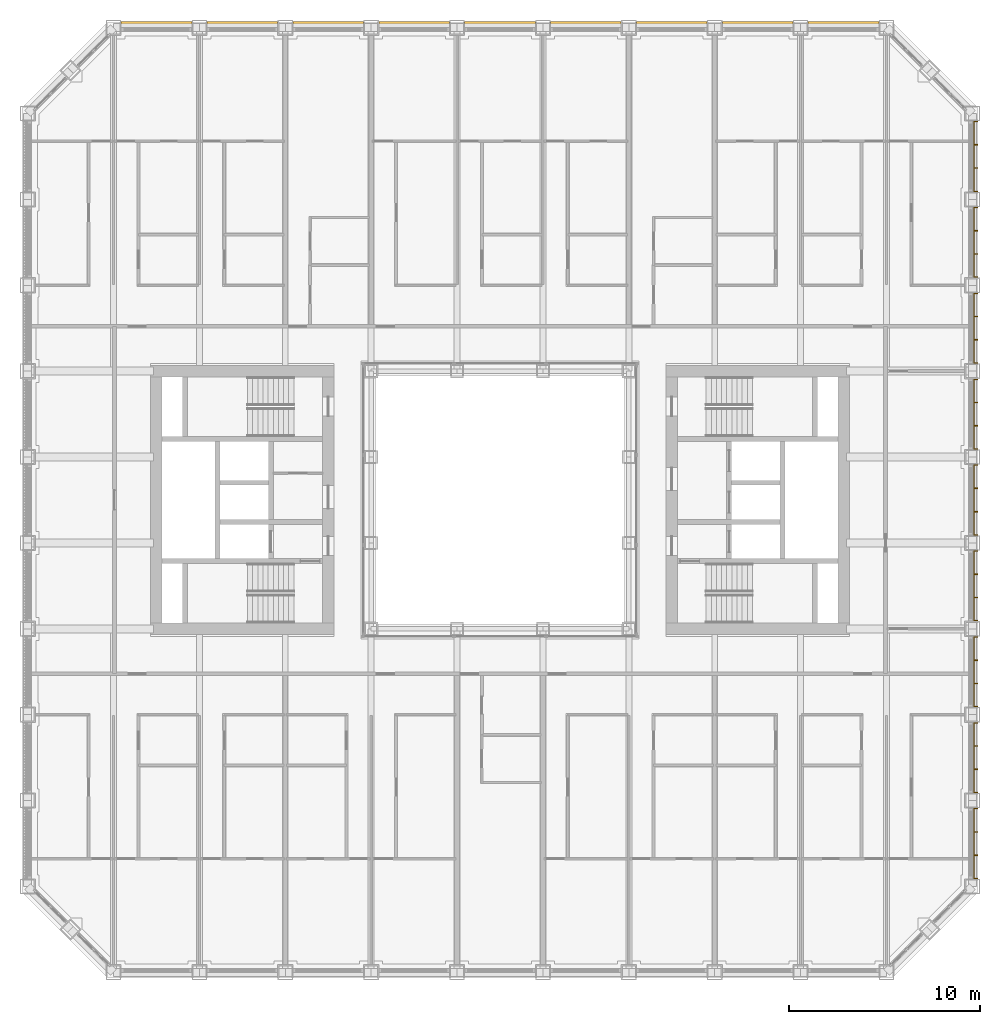
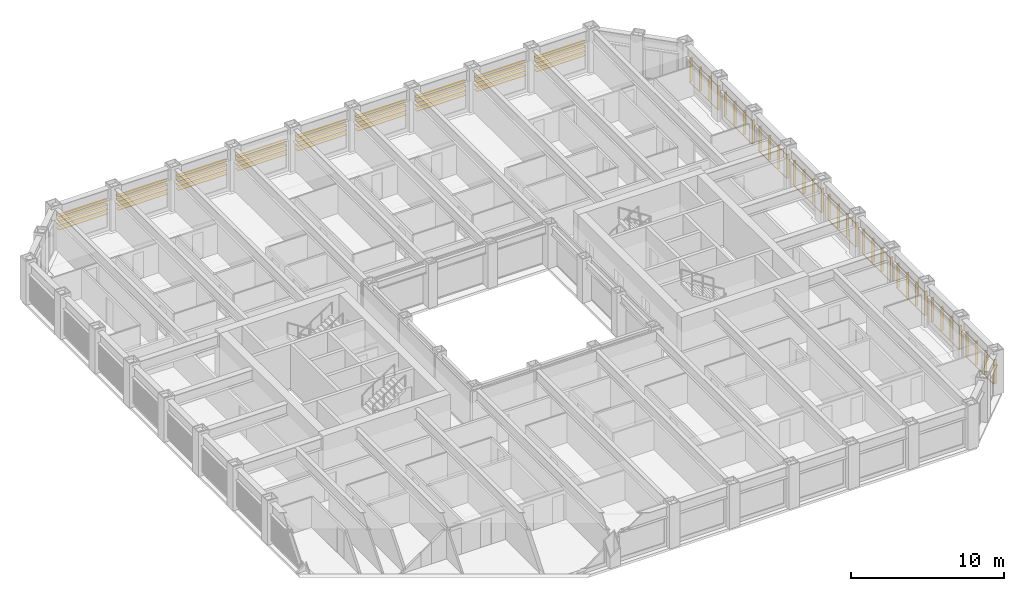
# One storey, part 20 of 20: 2 shading devices.
"""IFC4 building model written with IfcOpenShell, lengths in metres."""

from ifc_helpers import new_model, si_unit, direction, frame, origin, origin_2d, place, context, subcontext, project, spatial, rectangle, extrude, material, type_object, element, save


model = new_model("IFC4")

# Units and contexts
model_context = context("Model", 3, precision=1e-05, world=origin(), true_north=direction((0.0, 1.0)))
body_context = subcontext(model_context, "Body", "Model", "MODEL_VIEW")
ifc_project = project(units=[si_unit("LENGTHUNIT", "METRE"), si_unit("AREAUNIT", "SQUARE_METRE"), si_unit("VOLUMEUNIT", "CUBIC_METRE"), si_unit("PLANEANGLEUNIT", "RADIAN"), si_unit("MASSUNIT", "GRAM", prefix="KILO")], contexts=[model_context])

# Site, building, storey
site_placement = place(None, origin())
site = spatial("IfcSite", under=ifc_project, at=site_placement, CompositionType="ELEMENT")
building_placement = place(site_placement, origin())
building = spatial("IfcBuilding", under=site, at=building_placement, Name="Msasa Ring Tower", CompositionType="ELEMENT")
storey_placement = place(building_placement, frame((0.0, 0.0, 61.5)))
storey = spatial("IfcBuildingStorey", under=building, at=storey_placement, Name="L15", CompositionType="ELEMENT", Elevation=61.5)

# Shading devices
ifc_material_1 = material(Name="Extruded terracotta on aluminium carriers", Category="masonry")
shading_device_type_1 = type_object("IfcShadingDeviceType", Name="BS2 TERRACOTTA FIN SCREEN 40x200 AT 1350", PredefinedType="USERDEFINED", material=ifc_material_1)
shading_device_1_placement = place(storey_placement, origin())
element("IfcShadingDevice", 1, at=shading_device_1_placement, inside=storey, type_object=shading_device_type_1, Name="Terracotta fin screen E L15", ObjectType="BAGUETTE", PredefinedType="USERDEFINED", context=body_context, shape_type="SweptSolid", body=[
    extrude(rectangle(XDim=0.06005859375, YDim=0.0400390625, at=origin_2d()), frame((24.830078125, -19.85009765625, 0.330078125), z_axis=(0.0, 1.0, 0.0), x_axis=(0.0, 0.0, 1.0)), (0.0, 0.0, 1.0), 3.699951171875),
    extrude(rectangle(XDim=0.06005859375, YDim=0.0400390625, at=origin_2d()), frame((24.830078125, -19.85009765625, 2.198974609375), z_axis=(0.0, 1.0, 0.0), x_axis=(0.0, 0.0, 1.0)), (0.0, 0.0, 1.0), 3.699951171875),
    extrude(rectangle(XDim=0.0400390625, YDim=0.199951171875, at=origin_2d()), frame((24.945068359375, -19.830078125, 0.300048828125), z_axis=(0.0, 0.0, 1.0), x_axis=(0.0, 1.0, 0.0)), (0.0, 0.0, 1.0), 1.928955078125),
    extrude(rectangle(XDim=0.0400390625, YDim=0.199951171875, at=origin_2d()), frame((24.945068359375, -18.610107421875, 0.300048828125), z_axis=(0.0, 0.0, 1.0), x_axis=(0.0, 1.0, 0.0)), (0.0, 0.0, 1.0), 1.928955078125),
    extrude(rectangle(XDim=0.0400390625, YDim=0.199951171875, at=origin_2d()), frame((24.945068359375, -17.389892578125, 0.300048828125), z_axis=(0.0, 0.0, 1.0), x_axis=(0.0, 1.0, 0.0)), (0.0, 0.0, 1.0), 1.928955078125),
    extrude(rectangle(XDim=0.0400390625, YDim=0.199951171875, at=origin_2d()), frame((24.945068359375, -16.169921875, 0.300048828125), z_axis=(0.0, 0.0, 1.0), x_axis=(0.0, 1.0, 0.0)), (0.0, 0.0, 1.0), 1.928955078125),
    extrude(rectangle(XDim=0.06005859375, YDim=0.0400390625, at=origin_2d()), frame((24.830078125, -15.35009765625, 0.330078125), z_axis=(0.0, 1.0, 0.0), x_axis=(0.0, 0.0, 1.0)), (0.0, 0.0, 1.0), 3.699951171875),
    extrude(rectangle(XDim=0.06005859375, YDim=0.0400390625, at=origin_2d()), frame((24.830078125, -15.35009765625, 2.198974609375), z_axis=(0.0, 1.0, 0.0), x_axis=(0.0, 0.0, 1.0)), (0.0, 0.0, 1.0), 3.699951171875),
    extrude(rectangle(XDim=0.0400390625, YDim=0.199951171875, at=origin_2d()), frame((24.945068359375, -15.330078125, 0.300048828125), z_axis=(0.0, 0.0, 1.0), x_axis=(0.0, 1.0, 0.0)), (0.0, 0.0, 1.0), 1.928955078125),
    extrude(rectangle(XDim=0.0400390625, YDim=0.199951171875, at=origin_2d()), frame((24.945068359375, -14.110107421875, 0.300048828125), z_axis=(0.0, 0.0, 1.0), x_axis=(0.0, 1.0, 0.0)), (0.0, 0.0, 1.0), 1.928955078125),
    extrude(rectangle(XDim=0.0400390625, YDim=0.199951171875, at=origin_2d()), frame((24.945068359375, -12.889892578125, 0.300048828125), z_axis=(0.0, 0.0, 1.0), x_axis=(0.0, 1.0, 0.0)), (0.0, 0.0, 1.0), 1.928955078125),
    extrude(rectangle(XDim=0.0400390625, YDim=0.199951171875, at=origin_2d()), frame((24.945068359375, -11.669921875, 0.300048828125), z_axis=(0.0, 0.0, 1.0), x_axis=(0.0, 1.0, 0.0)), (0.0, 0.0, 1.0), 1.928955078125),
    extrude(rectangle(XDim=0.06005859375, YDim=0.0400390625, at=origin_2d()), frame((24.830078125, -10.85009765625, 0.330078125), z_axis=(0.0, 1.0, 0.0), x_axis=(0.0, 0.0, 1.0)), (0.0, 0.0, 1.0), 3.699951171875),
    extrude(rectangle(XDim=0.06005859375, YDim=0.0400390625, at=origin_2d()), frame((24.830078125, -10.85009765625, 2.198974609375), z_axis=(0.0, 1.0, 0.0), x_axis=(0.0, 0.0, 1.0)), (0.0, 0.0, 1.0), 3.699951171875),
    extrude(rectangle(XDim=0.0400390625, YDim=0.199951171875, at=origin_2d()), frame((24.945068359375, -10.830078125, 0.300048828125), z_axis=(0.0, 0.0, 1.0), x_axis=(0.0, 1.0, 0.0)), (0.0, 0.0, 1.0), 1.928955078125),
    extrude(rectangle(XDim=0.0400390625, YDim=0.199951171875, at=origin_2d()), frame((24.945068359375, -9.610107421875, 0.300048828125), z_axis=(0.0, 0.0, 1.0), x_axis=(0.0, 1.0, 0.0)), (0.0, 0.0, 1.0), 1.928955078125),
    extrude(rectangle(XDim=0.0400390625, YDim=0.199951171875, at=origin_2d()), frame((24.945068359375, -8.389892578125, 0.300048828125), z_axis=(0.0, 0.0, 1.0), x_axis=(0.0, 1.0, 0.0)), (0.0, 0.0, 1.0), 1.928955078125),
    extrude(rectangle(XDim=0.0400390625, YDim=0.199951171875, at=origin_2d()), frame((24.945068359375, -7.169921875, 0.300048828125), z_axis=(0.0, 0.0, 1.0), x_axis=(0.0, 1.0, 0.0)), (0.0, 0.0, 1.0), 1.928955078125),
    extrude(rectangle(XDim=0.06005859375, YDim=0.0400390625, at=origin_2d()), frame((24.830078125, -6.35009765625, 0.330078125), z_axis=(0.0, 1.0, 0.0), x_axis=(0.0, 0.0, 1.0)), (0.0, 0.0, 1.0), 3.699951171875),
    extrude(rectangle(XDim=0.06005859375, YDim=0.0400390625, at=origin_2d()), frame((24.830078125, -6.35009765625, 2.198974609375), z_axis=(0.0, 1.0, 0.0), x_axis=(0.0, 0.0, 1.0)), (0.0, 0.0, 1.0), 3.699951171875),
    extrude(rectangle(XDim=0.0400390625, YDim=0.199951171875, at=origin_2d()), frame((24.945068359375, -6.330078125, 0.300048828125), z_axis=(0.0, 0.0, 1.0), x_axis=(0.0, 1.0, 0.0)), (0.0, 0.0, 1.0), 1.928955078125),
    extrude(rectangle(XDim=0.0400390625, YDim=0.199951171875, at=origin_2d()), frame((24.945068359375, -5.110107421875, 0.300048828125), z_axis=(0.0, 0.0, 1.0), x_axis=(0.0, 1.0, 0.0)), (0.0, 0.0, 1.0), 1.928955078125),
    extrude(rectangle(XDim=0.0400390625, YDim=0.199951171875, at=origin_2d()), frame((24.945068359375, -3.889892578125, 0.300048828125), z_axis=(0.0, 0.0, 1.0), x_axis=(0.0, 1.0, 0.0)), (0.0, 0.0, 1.0), 1.928955078125),
    extrude(rectangle(XDim=0.0400390625, YDim=0.199951171875, at=origin_2d()), frame((24.945068359375, -2.669921875, 0.300048828125), z_axis=(0.0, 0.0, 1.0), x_axis=(0.0, 1.0, 0.0)), (0.0, 0.0, 1.0), 1.928955078125),
    extrude(rectangle(XDim=0.06005859375, YDim=0.0400390625, at=origin_2d()), frame((24.830078125, -1.85009765625, 0.330078125), z_axis=(0.0, 1.0, 0.0), x_axis=(0.0, 0.0, 1.0)), (0.0, 0.0, 1.0), 3.699951171875),
    extrude(rectangle(XDim=0.06005859375, YDim=0.0400390625, at=origin_2d()), frame((24.830078125, -1.85009765625, 2.198974609375), z_axis=(0.0, 1.0, 0.0), x_axis=(0.0, 0.0, 1.0)), (0.0, 0.0, 1.0), 3.699951171875),
    extrude(rectangle(XDim=0.0400390625, YDim=0.199951171875, at=origin_2d()), frame((24.945068359375, -1.830078125, 0.300048828125), z_axis=(0.0, 0.0, 1.0), x_axis=(0.0, 1.0, 0.0)), (0.0, 0.0, 1.0), 1.928955078125),
    extrude(rectangle(XDim=0.0400390625, YDim=0.199951171875, at=origin_2d()), frame((24.945068359375, -0.610107421875, 0.300048828125), z_axis=(0.0, 0.0, 1.0), x_axis=(0.0, 1.0, 0.0)), (0.0, 0.0, 1.0), 1.928955078125),
    extrude(rectangle(XDim=0.0400390625, YDim=0.199951171875, at=origin_2d()), frame((24.945068359375, 0.610107421875, 0.300048828125), z_axis=(0.0, 0.0, 1.0), x_axis=(0.0, 1.0, 0.0)), (0.0, 0.0, 1.0), 1.928955078125),
    extrude(rectangle(XDim=0.0400390625, YDim=0.199951171875, at=origin_2d()), frame((24.945068359375, 1.830078125, 0.300048828125), z_axis=(0.0, 0.0, 1.0), x_axis=(0.0, 1.0, 0.0)), (0.0, 0.0, 1.0), 1.928955078125),
    extrude(rectangle(XDim=0.06005859375, YDim=0.0400390625, at=origin_2d()), frame((24.830078125, 2.64990234375, 0.330078125), z_axis=(0.0, 1.0, 0.0), x_axis=(0.0, 0.0, 1.0)), (0.0, 0.0, 1.0), 3.699951171875),
    extrude(rectangle(XDim=0.06005859375, YDim=0.0400390625, at=origin_2d()), frame((24.830078125, 2.64990234375, 2.198974609375), z_axis=(0.0, 1.0, 0.0), x_axis=(0.0, 0.0, 1.0)), (0.0, 0.0, 1.0), 3.699951171875),
    extrude(rectangle(XDim=0.0400390625, YDim=0.199951171875, at=origin_2d()), frame((24.945068359375, 2.669921875, 0.300048828125), z_axis=(0.0, 0.0, 1.0), x_axis=(0.0, 1.0, 0.0)), (0.0, 0.0, 1.0), 1.928955078125),
    extrude(rectangle(XDim=0.0400390625, YDim=0.199951171875, at=origin_2d()), frame((24.945068359375, 3.889892578125, 0.300048828125), z_axis=(0.0, 0.0, 1.0), x_axis=(0.0, 1.0, 0.0)), (0.0, 0.0, 1.0), 1.928955078125),
    extrude(rectangle(XDim=0.0400390625, YDim=0.199951171875, at=origin_2d()), frame((24.945068359375, 5.110107421875, 0.300048828125), z_axis=(0.0, 0.0, 1.0), x_axis=(0.0, 1.0, 0.0)), (0.0, 0.0, 1.0), 1.928955078125),
    extrude(rectangle(XDim=0.0400390625, YDim=0.199951171875, at=origin_2d()), frame((24.945068359375, 6.330078125, 0.300048828125), z_axis=(0.0, 0.0, 1.0), x_axis=(0.0, 1.0, 0.0)), (0.0, 0.0, 1.0), 1.928955078125),
    extrude(rectangle(XDim=0.06005859375, YDim=0.0400390625, at=origin_2d()), frame((24.830078125, 7.14990234375, 0.330078125), z_axis=(0.0, 1.0, 0.0), x_axis=(0.0, 0.0, 1.0)), (0.0, 0.0, 1.0), 3.699951171875),
    extrude(rectangle(XDim=0.06005859375, YDim=0.0400390625, at=origin_2d()), frame((24.830078125, 7.14990234375, 2.198974609375), z_axis=(0.0, 1.0, 0.0), x_axis=(0.0, 0.0, 1.0)), (0.0, 0.0, 1.0), 3.699951171875),
    extrude(rectangle(XDim=0.0400390625, YDim=0.199951171875, at=origin_2d()), frame((24.945068359375, 7.169921875, 0.300048828125), z_axis=(0.0, 0.0, 1.0), x_axis=(0.0, 1.0, 0.0)), (0.0, 0.0, 1.0), 1.928955078125),
    extrude(rectangle(XDim=0.0400390625, YDim=0.199951171875, at=origin_2d()), frame((24.945068359375, 8.389892578125, 0.300048828125), z_axis=(0.0, 0.0, 1.0), x_axis=(0.0, 1.0, 0.0)), (0.0, 0.0, 1.0), 1.928955078125),
    extrude(rectangle(XDim=0.0400390625, YDim=0.199951171875, at=origin_2d()), frame((24.945068359375, 9.610107421875, 0.300048828125), z_axis=(0.0, 0.0, 1.0), x_axis=(0.0, 1.0, 0.0)), (0.0, 0.0, 1.0), 1.928955078125),
    extrude(rectangle(XDim=0.0400390625, YDim=0.199951171875, at=origin_2d()), frame((24.945068359375, 10.830078125, 0.300048828125), z_axis=(0.0, 0.0, 1.0), x_axis=(0.0, 1.0, 0.0)), (0.0, 0.0, 1.0), 1.928955078125),
    extrude(rectangle(XDim=0.06005859375, YDim=0.0400390625, at=origin_2d()), frame((24.830078125, 11.64990234375, 0.330078125), z_axis=(0.0, 1.0, 0.0), x_axis=(0.0, 0.0, 1.0)), (0.0, 0.0, 1.0), 3.699951171875),
    extrude(rectangle(XDim=0.06005859375, YDim=0.0400390625, at=origin_2d()), frame((24.830078125, 11.64990234375, 2.198974609375), z_axis=(0.0, 1.0, 0.0), x_axis=(0.0, 0.0, 1.0)), (0.0, 0.0, 1.0), 3.699951171875),
    extrude(rectangle(XDim=0.0400390625, YDim=0.199951171875, at=origin_2d()), frame((24.945068359375, 11.669921875, 0.300048828125), z_axis=(0.0, 0.0, 1.0), x_axis=(0.0, 1.0, 0.0)), (0.0, 0.0, 1.0), 1.928955078125),
    extrude(rectangle(XDim=0.0400390625, YDim=0.199951171875, at=origin_2d()), frame((24.945068359375, 12.889892578125, 0.300048828125), z_axis=(0.0, 0.0, 1.0), x_axis=(0.0, 1.0, 0.0)), (0.0, 0.0, 1.0), 1.928955078125),
    extrude(rectangle(XDim=0.0400390625, YDim=0.199951171875, at=origin_2d()), frame((24.945068359375, 14.110107421875, 0.300048828125), z_axis=(0.0, 0.0, 1.0), x_axis=(0.0, 1.0, 0.0)), (0.0, 0.0, 1.0), 1.928955078125),
    extrude(rectangle(XDim=0.0400390625, YDim=0.199951171875, at=origin_2d()), frame((24.945068359375, 15.330078125, 0.300048828125), z_axis=(0.0, 0.0, 1.0), x_axis=(0.0, 1.0, 0.0)), (0.0, 0.0, 1.0), 1.928955078125),
    extrude(rectangle(XDim=0.06005859375, YDim=0.0400390625, at=origin_2d()), frame((24.830078125, 16.14990234375, 0.330078125), z_axis=(0.0, 1.0, 0.0), x_axis=(0.0, 0.0, 1.0)), (0.0, 0.0, 1.0), 3.699951171875),
    extrude(rectangle(XDim=0.06005859375, YDim=0.0400390625, at=origin_2d()), frame((24.830078125, 16.14990234375, 2.198974609375), z_axis=(0.0, 1.0, 0.0), x_axis=(0.0, 0.0, 1.0)), (0.0, 0.0, 1.0), 3.699951171875),
    extrude(rectangle(XDim=0.0400390625, YDim=0.199951171875, at=origin_2d()), frame((24.945068359375, 16.169921875, 0.300048828125), z_axis=(0.0, 0.0, 1.0), x_axis=(0.0, 1.0, 0.0)), (0.0, 0.0, 1.0), 1.928955078125),
    extrude(rectangle(XDim=0.0400390625, YDim=0.199951171875, at=origin_2d()), frame((24.945068359375, 17.389892578125, 0.300048828125), z_axis=(0.0, 0.0, 1.0), x_axis=(0.0, 1.0, 0.0)), (0.0, 0.0, 1.0), 1.928955078125),
    extrude(rectangle(XDim=0.0400390625, YDim=0.199951171875, at=origin_2d()), frame((24.945068359375, 18.610107421875, 0.300048828125), z_axis=(0.0, 0.0, 1.0), x_axis=(0.0, 1.0, 0.0)), (0.0, 0.0, 1.0), 1.928955078125),
    extrude(rectangle(XDim=0.0400390625, YDim=0.199951171875, at=origin_2d()), frame((24.945068359375, 19.830078125, 0.300048828125), z_axis=(0.0, 0.0, 1.0), x_axis=(0.0, 1.0, 0.0)), (0.0, 0.0, 1.0), 1.928955078125),
])
ifc_material_2 = material(Name="Extruded terracotta blades", Category="masonry")
shading_device_type_2 = type_object("IfcShadingDeviceType", Name="SS1 TERRACOTTA SUNSHADE 4 BLADES 300x40 AT 350", PredefinedType="USERDEFINED", material=ifc_material_2)
shading_device_2_placement = place(storey_placement, origin())
element("IfcShadingDevice", 2, at=shading_device_2_placement, inside=storey, type_object=shading_device_type_2, Name="Terracotta sunshade N L15", ObjectType="SUNSHADE", PredefinedType="USERDEFINED", context=body_context, shape_type="SweptSolid", body=[
    extrude(rectangle(XDim=0.0400390625, YDim=0.300048828125, at=origin_2d()), frame((-19.85009765625, 24.929931640625, 2.208984375), z_axis=(1.0, 0.0, 0.0), x_axis=(0.0, 0.0, 1.0)), (0.0, 0.0, 1.0), 3.699951171875),
    extrude(rectangle(XDim=0.0400390625, YDim=0.300048828125, at=origin_2d()), frame((-19.85009765625, 24.929931640625, 1.85888671875), z_axis=(1.0, 0.0, 0.0), x_axis=(0.0, 0.0, 1.0)), (0.0, 0.0, 1.0), 3.699951171875),
    extrude(rectangle(XDim=0.0400390625, YDim=0.300048828125, at=origin_2d()), frame((-19.85009765625, 24.929931640625, 1.509033203125), z_axis=(1.0, 0.0, 0.0), x_axis=(0.0, 0.0, 1.0)), (0.0, 0.0, 1.0), 3.699951171875),
    extrude(rectangle(XDim=0.0400390625, YDim=0.300048828125, at=origin_2d()), frame((-19.85009765625, 24.929931640625, 1.158935546875), z_axis=(1.0, 0.0, 0.0), x_axis=(0.0, 0.0, 1.0)), (0.0, 0.0, 1.0), 3.699951171875),
    extrude(rectangle(XDim=0.0400390625, YDim=0.300048828125, at=origin_2d()), frame((-15.35009765625, 24.929931640625, 2.208984375), z_axis=(1.0, 0.0, 0.0), x_axis=(0.0, 0.0, 1.0)), (0.0, 0.0, 1.0), 3.699951171875),
    extrude(rectangle(XDim=0.0400390625, YDim=0.300048828125, at=origin_2d()), frame((-15.35009765625, 24.929931640625, 1.85888671875), z_axis=(1.0, 0.0, 0.0), x_axis=(0.0, 0.0, 1.0)), (0.0, 0.0, 1.0), 3.699951171875),
    extrude(rectangle(XDim=0.0400390625, YDim=0.300048828125, at=origin_2d()), frame((-15.35009765625, 24.929931640625, 1.509033203125), z_axis=(1.0, 0.0, 0.0), x_axis=(0.0, 0.0, 1.0)), (0.0, 0.0, 1.0), 3.699951171875),
    extrude(rectangle(XDim=0.0400390625, YDim=0.300048828125, at=origin_2d()), frame((-15.35009765625, 24.929931640625, 1.158935546875), z_axis=(1.0, 0.0, 0.0), x_axis=(0.0, 0.0, 1.0)), (0.0, 0.0, 1.0), 3.699951171875),
    extrude(rectangle(XDim=0.0400390625, YDim=0.300048828125, at=origin_2d()), frame((-10.85009765625, 24.929931640625, 2.208984375), z_axis=(1.0, 0.0, 0.0), x_axis=(0.0, 0.0, 1.0)), (0.0, 0.0, 1.0), 3.699951171875),
    extrude(rectangle(XDim=0.0400390625, YDim=0.300048828125, at=origin_2d()), frame((-10.85009765625, 24.929931640625, 1.85888671875), z_axis=(1.0, 0.0, 0.0), x_axis=(0.0, 0.0, 1.0)), (0.0, 0.0, 1.0), 3.699951171875),
    extrude(rectangle(XDim=0.0400390625, YDim=0.300048828125, at=origin_2d()), frame((-10.85009765625, 24.929931640625, 1.509033203125), z_axis=(1.0, 0.0, 0.0), x_axis=(0.0, 0.0, 1.0)), (0.0, 0.0, 1.0), 3.699951171875),
    extrude(rectangle(XDim=0.0400390625, YDim=0.300048828125, at=origin_2d()), frame((-10.85009765625, 24.929931640625, 1.158935546875), z_axis=(1.0, 0.0, 0.0), x_axis=(0.0, 0.0, 1.0)), (0.0, 0.0, 1.0), 3.699951171875),
    extrude(rectangle(XDim=0.0400390625, YDim=0.300048828125, at=origin_2d()), frame((-6.35009765625, 24.929931640625, 2.208984375), z_axis=(1.0, 0.0, 0.0), x_axis=(0.0, 0.0, 1.0)), (0.0, 0.0, 1.0), 3.699951171875),
    extrude(rectangle(XDim=0.0400390625, YDim=0.300048828125, at=origin_2d()), frame((-6.35009765625, 24.929931640625, 1.85888671875), z_axis=(1.0, 0.0, 0.0), x_axis=(0.0, 0.0, 1.0)), (0.0, 0.0, 1.0), 3.699951171875),
    extrude(rectangle(XDim=0.0400390625, YDim=0.300048828125, at=origin_2d()), frame((-6.35009765625, 24.929931640625, 1.509033203125), z_axis=(1.0, 0.0, 0.0), x_axis=(0.0, 0.0, 1.0)), (0.0, 0.0, 1.0), 3.699951171875),
    extrude(rectangle(XDim=0.0400390625, YDim=0.300048828125, at=origin_2d()), frame((-6.35009765625, 24.929931640625, 1.158935546875), z_axis=(1.0, 0.0, 0.0), x_axis=(0.0, 0.0, 1.0)), (0.0, 0.0, 1.0), 3.699951171875),
    extrude(rectangle(XDim=0.0400390625, YDim=0.300048828125, at=origin_2d()), frame((-1.85009765625, 24.929931640625, 2.208984375), z_axis=(1.0, 0.0, 0.0), x_axis=(0.0, 0.0, 1.0)), (0.0, 0.0, 1.0), 3.699951171875),
    extrude(rectangle(XDim=0.0400390625, YDim=0.300048828125, at=origin_2d()), frame((-1.85009765625, 24.929931640625, 1.85888671875), z_axis=(1.0, 0.0, 0.0), x_axis=(0.0, 0.0, 1.0)), (0.0, 0.0, 1.0), 3.699951171875),
    extrude(rectangle(XDim=0.0400390625, YDim=0.300048828125, at=origin_2d()), frame((-1.85009765625, 24.929931640625, 1.509033203125), z_axis=(1.0, 0.0, 0.0), x_axis=(0.0, 0.0, 1.0)), (0.0, 0.0, 1.0), 3.699951171875),
    extrude(rectangle(XDim=0.0400390625, YDim=0.300048828125, at=origin_2d()), frame((-1.85009765625, 24.929931640625, 1.158935546875), z_axis=(1.0, 0.0, 0.0), x_axis=(0.0, 0.0, 1.0)), (0.0, 0.0, 1.0), 3.699951171875),
    extrude(rectangle(XDim=0.0400390625, YDim=0.300048828125, at=origin_2d()), frame((2.64990234375, 24.929931640625, 2.208984375), z_axis=(1.0, 0.0, 0.0), x_axis=(0.0, 0.0, 1.0)), (0.0, 0.0, 1.0), 3.699951171875),
    extrude(rectangle(XDim=0.0400390625, YDim=0.300048828125, at=origin_2d()), frame((2.64990234375, 24.929931640625, 1.85888671875), z_axis=(1.0, 0.0, 0.0), x_axis=(0.0, 0.0, 1.0)), (0.0, 0.0, 1.0), 3.699951171875),
    extrude(rectangle(XDim=0.0400390625, YDim=0.300048828125, at=origin_2d()), frame((2.64990234375, 24.929931640625, 1.509033203125), z_axis=(1.0, 0.0, 0.0), x_axis=(0.0, 0.0, 1.0)), (0.0, 0.0, 1.0), 3.699951171875),
    extrude(rectangle(XDim=0.0400390625, YDim=0.300048828125, at=origin_2d()), frame((2.64990234375, 24.929931640625, 1.158935546875), z_axis=(1.0, 0.0, 0.0), x_axis=(0.0, 0.0, 1.0)), (0.0, 0.0, 1.0), 3.699951171875),
    extrude(rectangle(XDim=0.0400390625, YDim=0.300048828125, at=origin_2d()), frame((7.14990234375, 24.929931640625, 2.208984375), z_axis=(1.0, 0.0, 0.0), x_axis=(0.0, 0.0, 1.0)), (0.0, 0.0, 1.0), 3.699951171875),
    extrude(rectangle(XDim=0.0400390625, YDim=0.300048828125, at=origin_2d()), frame((7.14990234375, 24.929931640625, 1.85888671875), z_axis=(1.0, 0.0, 0.0), x_axis=(0.0, 0.0, 1.0)), (0.0, 0.0, 1.0), 3.699951171875),
    extrude(rectangle(XDim=0.0400390625, YDim=0.300048828125, at=origin_2d()), frame((7.14990234375, 24.929931640625, 1.509033203125), z_axis=(1.0, 0.0, 0.0), x_axis=(0.0, 0.0, 1.0)), (0.0, 0.0, 1.0), 3.699951171875),
    extrude(rectangle(XDim=0.0400390625, YDim=0.300048828125, at=origin_2d()), frame((7.14990234375, 24.929931640625, 1.158935546875), z_axis=(1.0, 0.0, 0.0), x_axis=(0.0, 0.0, 1.0)), (0.0, 0.0, 1.0), 3.699951171875),
    extrude(rectangle(XDim=0.0400390625, YDim=0.300048828125, at=origin_2d()), frame((11.64990234375, 24.929931640625, 2.208984375), z_axis=(1.0, 0.0, 0.0), x_axis=(0.0, 0.0, 1.0)), (0.0, 0.0, 1.0), 3.699951171875),
    extrude(rectangle(XDim=0.0400390625, YDim=0.300048828125, at=origin_2d()), frame((11.64990234375, 24.929931640625, 1.85888671875), z_axis=(1.0, 0.0, 0.0), x_axis=(0.0, 0.0, 1.0)), (0.0, 0.0, 1.0), 3.699951171875),
    extrude(rectangle(XDim=0.0400390625, YDim=0.300048828125, at=origin_2d()), frame((11.64990234375, 24.929931640625, 1.509033203125), z_axis=(1.0, 0.0, 0.0), x_axis=(0.0, 0.0, 1.0)), (0.0, 0.0, 1.0), 3.699951171875),
    extrude(rectangle(XDim=0.0400390625, YDim=0.300048828125, at=origin_2d()), frame((11.64990234375, 24.929931640625, 1.158935546875), z_axis=(1.0, 0.0, 0.0), x_axis=(0.0, 0.0, 1.0)), (0.0, 0.0, 1.0), 3.699951171875),
    extrude(rectangle(XDim=0.0400390625, YDim=0.300048828125, at=origin_2d()), frame((16.14990234375, 24.929931640625, 2.208984375), z_axis=(1.0, 0.0, 0.0), x_axis=(0.0, 0.0, 1.0)), (0.0, 0.0, 1.0), 3.699951171875),
    extrude(rectangle(XDim=0.0400390625, YDim=0.300048828125, at=origin_2d()), frame((16.14990234375, 24.929931640625, 1.85888671875), z_axis=(1.0, 0.0, 0.0), x_axis=(0.0, 0.0, 1.0)), (0.0, 0.0, 1.0), 3.699951171875),
    extrude(rectangle(XDim=0.0400390625, YDim=0.300048828125, at=origin_2d()), frame((16.14990234375, 24.929931640625, 1.509033203125), z_axis=(1.0, 0.0, 0.0), x_axis=(0.0, 0.0, 1.0)), (0.0, 0.0, 1.0), 3.699951171875),
    extrude(rectangle(XDim=0.0400390625, YDim=0.300048828125, at=origin_2d()), frame((16.14990234375, 24.929931640625, 1.158935546875), z_axis=(1.0, 0.0, 0.0), x_axis=(0.0, 0.0, 1.0)), (0.0, 0.0, 1.0), 3.699951171875),
])

save(model, "model.ifc")
